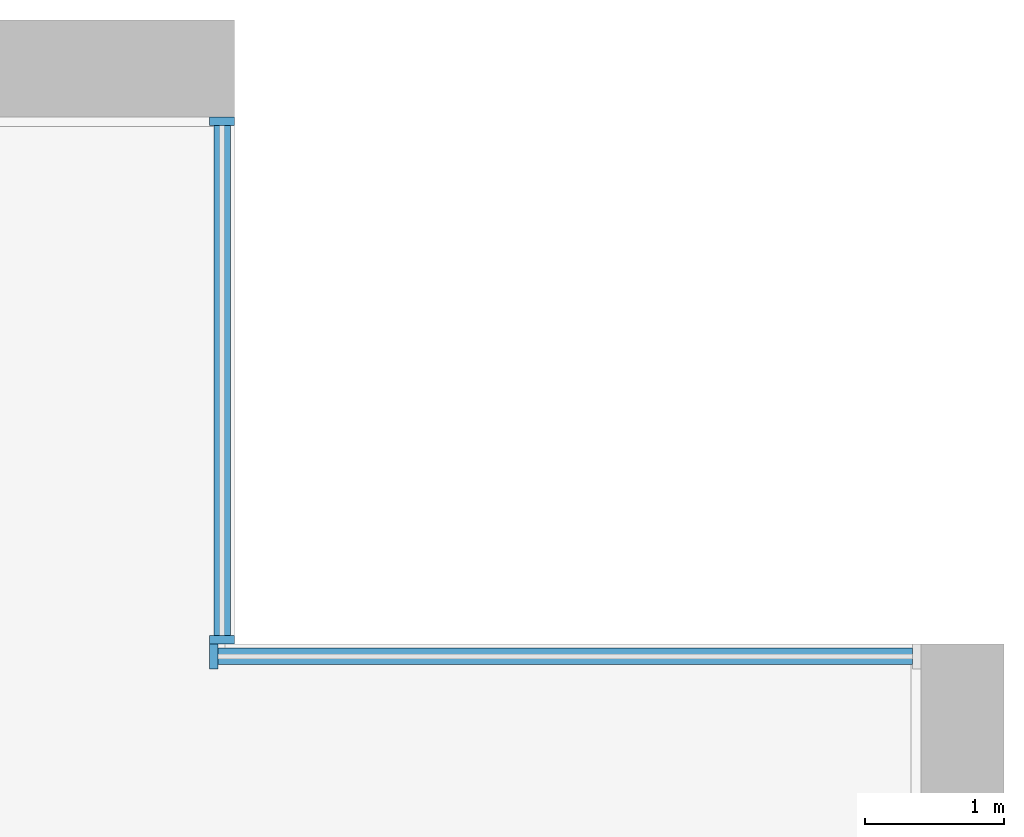
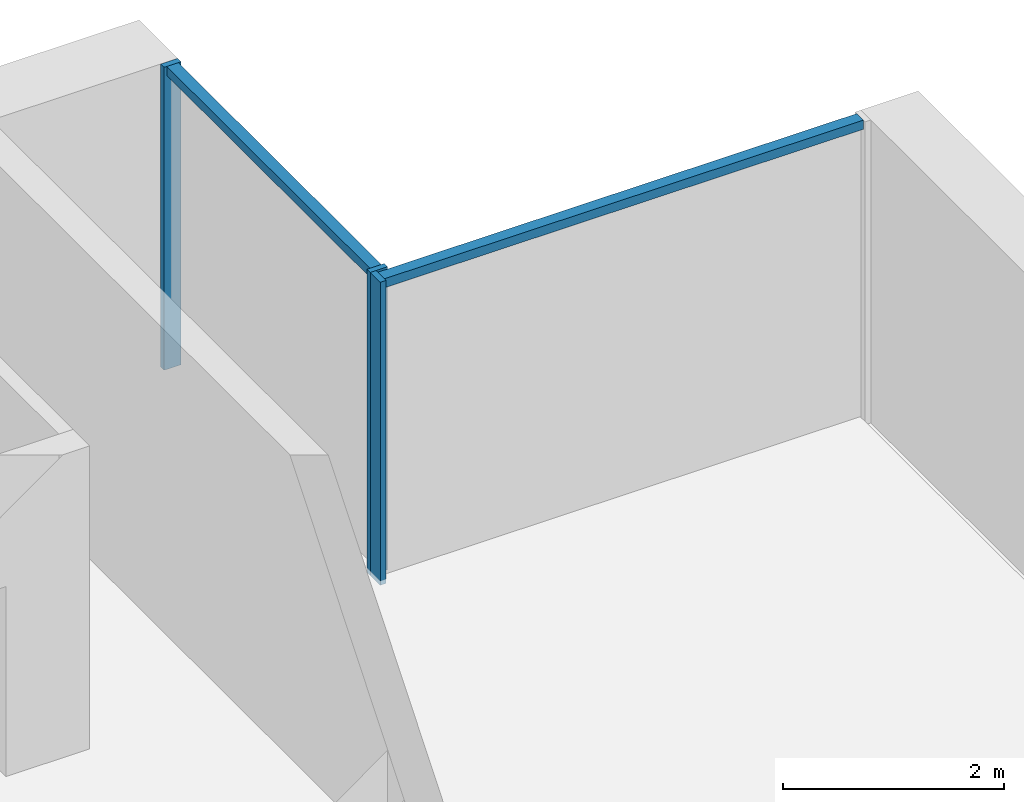
# One storey, part 5 of 16: 5 members, 2 elements without a shape of their own.
"""IFC4 building model written with IfcOpenShell, lengths in metres."""

from ifc_helpers import new_model, si_unit, direction, frame, origin, origin_2d, place, context, subcontext, project, spatial, rectangle, extrude, material, material_profile, profile_set, type_object, element, aggregate, save


model = new_model("IFC4")

# Units and contexts
model_context = context("Model", 3, precision=1e-05, world=origin(), true_north=direction((0.0, 1.0)))
body_context = subcontext(model_context, "Body", "Model", "MODEL_VIEW")
ifc_project = project(units=[si_unit("LENGTHUNIT", "METRE"), si_unit("AREAUNIT", "SQUARE_METRE"), si_unit("VOLUMEUNIT", "CUBIC_METRE"), si_unit("PLANEANGLEUNIT", "RADIAN"), si_unit("MASSUNIT", "GRAM", prefix="KILO")], contexts=[model_context])

# Site, building, storey
site_placement = place(None, origin())
site = spatial("IfcSite", under=ifc_project, at=site_placement, CompositionType="ELEMENT")
building_placement = place(site_placement, origin())
building = spatial("IfcBuilding", under=site, at=building_placement, Name="Calvaro Tower", CompositionType="ELEMENT")
storey_placement = place(building_placement, frame((0.0, 0.0, 181.75)))
storey = spatial("IfcBuildingStorey", under=building, at=storey_placement, Name="L45", CompositionType="ELEMENT", Elevation=181.75)

# Curtain wall, members
ifc_material_1 = material(Name="Anodised aluminium", Category="aluminium")
curtain_wall_type = type_object("IfcCurtainWallType", Name="Office curtain wall, upper zone", PredefinedType="NOTDEFINED", material=ifc_material_1)
curtain_wall_1_placement = place(storey_placement, origin())
curtain_wall_1 = element("IfcCurtainWall", 1, at=curtain_wall_1_placement, inside=storey, type_object=curtain_wall_type, Name="CW3 corner curtain wall", PredefinedType="NOTDEFINED")
ifc_material_2 = material(Name="Anodised aluminium", Category="aluminium")
ifc_material_profile_1 = material_profile(ifc_material_2, rectangle(XDim=0.179931640625, YDim=0.06005859375, at=origin_2d()), Name="Mullion S3 60 x 180")
ifc_profile_set_1 = profile_set([ifc_material_profile_1], Name="Anodised aluminium")
member_type_1 = type_object("IfcMemberType", Name="Mullion S3 60 x 180", PredefinedType="MULLION", material=ifc_profile_set_1)
member_1_placement = place(storey_placement, frame((66.360107421875, 41.530029296875, 0.0), z_axis=(0.0, 0.0, 1.0), x_axis=(-1.0, 0.0, 0.0)))
member_1 = element("IfcMember", 2, at=member_1_placement, type_object=member_type_1, Name="CW3 mullion 1", PredefinedType="MULLION", context=body_context, shape_type="SweptSolid", body=[
    extrude(rectangle(XDim=0.179931640625, YDim=0.06005859375, at=origin_2d()), origin(), (0.0, 0.0, 1.0), 3.35009765625),
])
member_2_placement = place(storey_placement, frame((66.360107421875, 45.27001953125, 0.0), z_axis=(0.0, 0.0, 1.0), x_axis=(-1.0, 0.0, 0.0)))
member_2 = element("IfcMember", 3, at=member_2_placement, type_object=member_type_1, Name="CW3 mullion 2", PredefinedType="MULLION", context=body_context, shape_type="SweptSolid", body=[
    extrude(rectangle(XDim=0.179931640625, YDim=0.06005859375, at=origin_2d()), origin(), (0.0, 0.0, 1.0), 3.35009765625),
])

# Curtain wall, member
curtain_wall_2_placement = place(storey_placement, origin())
curtain_wall_2 = element("IfcCurtainWall", 4, at=curtain_wall_2_placement, inside=storey, type_object=curtain_wall_type, Name="CW3 corner curtain wall", PredefinedType="NOTDEFINED")
member_3_placement = place(storey_placement, frame((66.300048828125, 41.409912109375, 0.0), z_axis=(0.0, 0.0, 1.0), x_axis=(0.0, 1.0, 0.0)))
member_3 = element("IfcMember", 5, at=member_3_placement, type_object=member_type_1, Name="CW3 mullion 1", PredefinedType="MULLION", context=body_context, shape_type="SweptSolid", body=[
    extrude(rectangle(XDim=0.179931640625, YDim=0.06005859375, at=origin_2d()), origin(), (0.0, 0.0, 1.0), 3.35009765625),
])

# Member
ifc_material_3 = material(Name="Anodised aluminium", Category="aluminium")
ifc_material_profile_2 = material_profile(ifc_material_3, rectangle(XDim=0.1201171875, YDim=0.10009765625, at=origin_2d()), Name="Transom S3 100 x 120")
ifc_profile_set_2 = profile_set([ifc_material_profile_2], Name="Anodised aluminium")
member_type_2 = type_object("IfcMemberType", Name="Transom S3 100 x 120", PredefinedType="USERDEFINED", material=ifc_profile_set_2)
member_4_placement = place(storey_placement, frame((66.360107421875, 41.56005859375, 3.300048828125), z_axis=(0.0, 1.0, 0.0), x_axis=(-1.0, 0.0, 0.0)))
member_4 = element("IfcMember", 6, at=member_4_placement, type_object=member_type_2, Name="CW3 transom 1.1", ObjectType="TRANSOM", PredefinedType="USERDEFINED", context=body_context, shape_type="SweptSolid", body=[
    extrude(rectangle(XDim=0.1201171875, YDim=0.10009765625, at=origin_2d()), origin(), (0.0, 0.0, 1.0), 3.679931640625),
])

aggregate(curtain_wall_1, [member_1, member_2, member_4])

member_5_placement = place(storey_placement, frame((66.330078125, 41.409912109375, 3.300048828125), z_axis=(1.0, 0.0, 0.0), x_axis=(0.0, 1.0, 0.0)))
member_5 = element("IfcMember", 7, at=member_5_placement, type_object=member_type_2, Name="CW3 transom 1.1", ObjectType="TRANSOM", PredefinedType="USERDEFINED", context=body_context, shape_type="SweptSolid", body=[
    extrude(rectangle(XDim=0.1201171875, YDim=0.10009765625, at=origin_2d()), origin(), (0.0, 0.0, 1.0), 5.010009765625),
])

aggregate(curtain_wall_2, [member_3, member_5])

save(model, "model.ifc")
